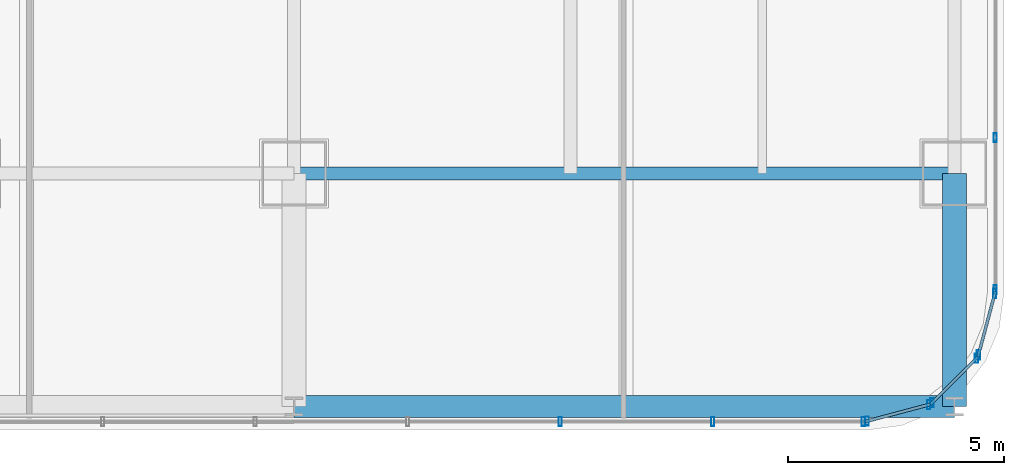
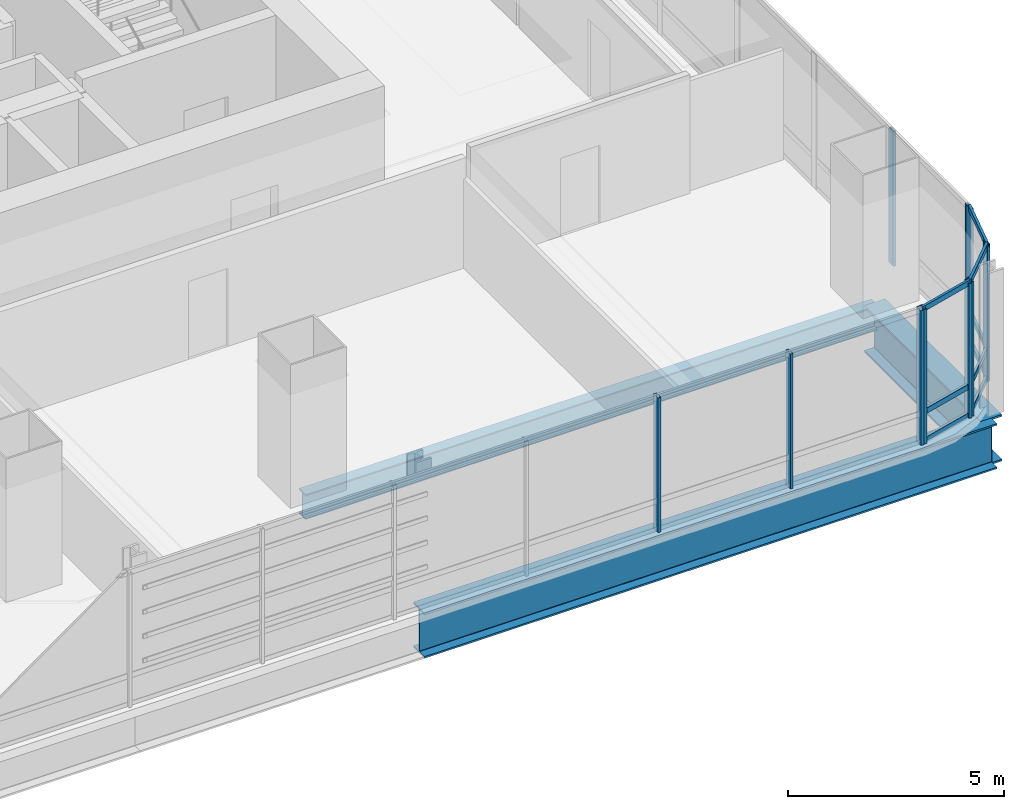
# One storey, part 13 of 36: 20 members, 3 beams, 5 elements without a shape of their own.
"""IFC4 building model written with IfcOpenShell, lengths in metres."""

from ifc_helpers import new_model, si_unit, direction, frame, origin, origin_2d, place, context, subcontext, project, spatial, hollow_rectangle, i_section, extrude, material, material_profile, profile_set, type_object, element, aggregate, save


model = new_model("IFC4")

# Units and contexts
model_context = context("Model", 3, precision=1e-05, world=origin(), true_north=direction((0.0, 1.0)))
body_context = subcontext(model_context, "Body", "Model", "MODEL_VIEW")
ifc_project = project(units=[si_unit("LENGTHUNIT", "METRE"), si_unit("AREAUNIT", "SQUARE_METRE"), si_unit("VOLUMEUNIT", "CUBIC_METRE"), si_unit("PLANEANGLEUNIT", "RADIAN"), si_unit("MASSUNIT", "GRAM", prefix="KILO")], contexts=[model_context])

# Site, building, storey
site_placement = place(None, origin())
site = spatial("IfcSite", under=ifc_project, at=site_placement, CompositionType="ELEMENT")
building_placement = place(site_placement, origin())
building = spatial("IfcBuilding", under=site, at=building_placement, Name="Punatoya Terracotta Tower", CompositionType="ELEMENT")
storey_placement = place(building_placement, frame((0.0, 0.0, 36.300048828125)))
storey = spatial("IfcBuildingStorey", under=building, at=storey_placement, Name="L07", CompositionType="ELEMENT", Elevation=36.300048828125)

# Beams
ifc_material_1 = material(Name="Steel S355", Category="steel")
ifc_material_profile_1 = material_profile(ifc_material_1, i_section(OverallWidth=0.300048828125, OverallDepth=0.699951171875, WebThickness=0.01708984375, FlangeThickness=0.031982421875, FilletRadius=0.01806640625, at=origin_2d()))
ifc_profile_set_1 = profile_set([ifc_material_profile_1], Name="Steel S355")
beam_type_1 = type_object("IfcBeamType", Name="BM-PRI-700", PredefinedType="BEAM", material=ifc_profile_set_1)
beam_1_placement = place(storey_placement, frame((3.800048828125, -17.5, -0.590087890625), z_axis=(1.0, 0.0, 0.0), x_axis=(0.0, 1.0, 0.0)))
element("IfcBeam", 1, at=beam_1_placement, inside=storey, type_object=beam_type_1, Name="BM-L07-RG-S3", PredefinedType="BEAM", context=body_context, shape_type="SweptSolid", body=[
    extrude(i_section(OverallWidth=0.300048828125, OverallDepth=0.699951171875, WebThickness=0.01708984375, FlangeThickness=0.031982421875, FilletRadius=0.01806640625, at=origin_2d()), origin(), (0.0, 0.0, 1.0), 15.300048828125),
])
ifc_material_2 = material(Name="Steel S460", Category="steel")
ifc_material_profile_2 = material_profile(ifc_material_2, i_section(OverallWidth=0.56005859375, OverallDepth=1.320068359375, WebThickness=0.035888671875, FlangeThickness=0.054931640625, FilletRadius=0.01806640625, at=origin_2d()))
ifc_profile_set_2 = profile_set([ifc_material_profile_2], Name="Steel S460")
beam_type_2 = type_object("IfcBeamType", Name="BM-TG-BLK", PredefinedType="BEAM", material=ifc_profile_set_2)
beam_2_placement = place(storey_placement, frame((19.10009765625, -22.89990234375, -0.900146484375), z_axis=(0.0, 1.0, 0.0), x_axis=(-1.0, 0.0, 0.0)))
element("IfcBeam", 2, at=beam_2_placement, inside=storey, type_object=beam_type_2, Name="BM-L07-CANT-S4", PredefinedType="BEAM", context=body_context, shape_type="SweptSolid", body=[
    extrude(i_section(OverallWidth=0.56005859375, OverallDepth=1.320068359375, WebThickness=0.035888671875, FlangeThickness=0.054931640625, FilletRadius=0.01806640625, at=origin_2d()), origin(), (0.0, 0.0, 1.0), 5.39990234375),
])
ifc_material_profile_3 = material_profile(ifc_material_2, i_section(OverallWidth=0.52001953125, OverallDepth=1.280029296875, WebThickness=0.031982421875, FlangeThickness=0.050048828125, FilletRadius=0.01806640625, at=origin_2d()))
ifc_profile_set_3 = profile_set([ifc_material_profile_3], Name="Steel S460")
beam_type_3 = type_object("IfcBeamType", Name="BM-TG-NCK", PredefinedType="BEAM", material=ifc_profile_set_3)
beam_3_placement = place(storey_placement, frame((3.800048828125, -22.89990234375, -0.880126953125), z_axis=(1.0, 0.0, 0.0), x_axis=(0.0, 1.0, 0.0)))
element("IfcBeam", 3, at=beam_3_placement, inside=storey, type_object=beam_type_3, Name="BM-L07-PER-S3", PredefinedType="BEAM", context=body_context, shape_type="SweptSolid", body=[
    extrude(i_section(OverallWidth=0.52001953125, OverallDepth=1.280029296875, WebThickness=0.031982421875, FlangeThickness=0.050048828125, FilletRadius=0.01806640625, at=origin_2d()), origin(), (0.0, 0.0, 1.0), 15.300048828125),
])

# Curtain wall, members
ifc_material_3 = material(Name="Aluminium 6063-T6 + Double Low-E Glass", Category="aluminium")
curtain_wall_type = type_object("IfcCurtainWallType", Name="CW-M1", PredefinedType="NOTDEFINED", material=ifc_material_3)
curtain_wall_1_placement = place(storey_placement, origin())
curtain_wall_1 = element("IfcCurtainWall", 4, at=curtain_wall_1_placement, inside=storey, type_object=curtain_wall_type, Name="L07 Curtain Wall CW-L07-S01-1", PredefinedType="NOTDEFINED")
ifc_material_4 = material(Name="Aluminium 6063-T6", Category="aluminium")
ifc_material_profile_4 = material_profile(ifc_material_4, hollow_rectangle(XDim=0.074951171875, YDim=0.2099609375, WallThickness=0.00439453125, at=origin_2d()))
ifc_profile_set_4 = profile_set([ifc_material_profile_4], Name="Aluminium 6063-T6")
member_type_1 = type_object("IfcMemberType", Name="CW-MUL-M1", PredefinedType="MULLION", material=ifc_profile_set_4)
member_1_placement = place(storey_placement, frame((9.968994140625, -23.25, 0.0), z_axis=(0.0, 0.0, 1.0), x_axis=(1.0, 0.0, 0.0)))
member_1 = element("IfcMember", 5, at=member_1_placement, type_object=member_type_1, Name="CW-L07-S01-1 Mullion 09", PredefinedType="MULLION", context=body_context, shape_type="SweptSolid", body=[
    extrude(hollow_rectangle(XDim=0.074951171875, YDim=0.2099609375, WallThickness=0.00439453125, at=origin_2d()), origin(), (0.0, 0.0, 1.0), 3.81005859375),
])
member_2_placement = place(storey_placement, frame((13.5029296875, -23.25, 0.0), z_axis=(0.0, 0.0, 1.0), x_axis=(1.0, 0.0, 0.0)))
member_2 = element("IfcMember", 6, at=member_2_placement, type_object=member_type_1, Name="CW-L07-S01-1 Mullion 10", PredefinedType="MULLION", context=body_context, shape_type="SweptSolid", body=[
    extrude(hollow_rectangle(XDim=0.074951171875, YDim=0.2099609375, WallThickness=0.00439453125, at=origin_2d()), origin(), (0.0, 0.0, 1.0), 3.81005859375),
])
member_3_placement = place(storey_placement, frame((16.991943359375, -23.25, 0.0), z_axis=(0.0, 0.0, 1.0), x_axis=(1.0, 0.0, 0.0)))
member_3 = element("IfcMember", 7, at=member_3_placement, type_object=member_type_1, Name="CW-L07-S01-1 Mullion 11", PredefinedType="MULLION", context=body_context, shape_type="SweptSolid", body=[
    extrude(hollow_rectangle(XDim=0.074951171875, YDim=0.2099609375, WallThickness=0.00439453125, at=origin_2d()), origin(), (0.0, 0.0, 1.0), 3.81005859375),
])
aggregate(curtain_wall_1, [member_1, member_2, member_3])

curtain_wall_2_placement = place(storey_placement, origin())
curtain_wall_2 = element("IfcCurtainWall", 8, at=curtain_wall_2_placement, inside=storey, type_object=curtain_wall_type, Name="L07 Curtain Wall CW-L07-CRN02", PredefinedType="NOTDEFINED")
member_4_placement = place(storey_placement, frame((17.080322265625, -23.23828125, 0.0), z_axis=(0.0, 0.0, 1.0), x_axis=(1.0, 0.0, 0.0)))
member_4 = element("IfcMember", 9, at=member_4_placement, type_object=member_type_1, Name="CW-L07-CRN02 Mullion 00", PredefinedType="MULLION", context=body_context, shape_type="SweptSolid", body=[
    extrude(hollow_rectangle(XDim=0.074951171875, YDim=0.2099609375, WallThickness=0.00439453125, at=origin_2d()), origin(), (0.0, 0.0, 1.0), 3.81005859375),
])
member_5_placement = place(storey_placement, frame((18.505615234375, -22.858154296875, 0.0), z_axis=(0.0, 0.0, 1.0), x_axis=(1.0, 0.0, 0.0)))
member_5 = element("IfcMember", 10, at=member_5_placement, type_object=member_type_1, Name="CW-L07-CRN02 Mullion 01", PredefinedType="MULLION", context=body_context, shape_type="SweptSolid", body=[
    extrude(hollow_rectangle(XDim=0.074951171875, YDim=0.2099609375, WallThickness=0.00439453125, at=origin_2d()), origin(), (0.0, 0.0, 1.0), 3.81005859375),
])

curtain_wall_3_placement = place(storey_placement, origin())
curtain_wall_3 = element("IfcCurtainWall", 11, at=curtain_wall_3_placement, inside=storey, type_object=curtain_wall_type, Name="L07 Curtain Wall CW-L07-CRN03", PredefinedType="NOTDEFINED")
member_6_placement = place(storey_placement, frame((18.580810546875, -22.814697265625, 0.0), z_axis=(0.0, 0.0, 1.0), x_axis=(1.0, 0.0, 0.0)))
member_6 = element("IfcMember", 12, at=member_6_placement, type_object=member_type_1, Name="CW-L07-CRN03 Mullion 00", PredefinedType="MULLION", context=body_context, shape_type="SweptSolid", body=[
    extrude(hollow_rectangle(XDim=0.074951171875, YDim=0.2099609375, WallThickness=0.00439453125, at=origin_2d()), origin(), (0.0, 0.0, 1.0), 3.81005859375),
])
member_7_placement = place(storey_placement, frame((19.61474609375, -21.781005859375, 0.0), z_axis=(0.0, 0.0, 1.0), x_axis=(1.0, 0.0, 0.0)))
member_7 = element("IfcMember", 13, at=member_7_placement, type_object=member_type_1, Name="CW-L07-CRN03 Mullion 01", PredefinedType="MULLION", context=body_context, shape_type="SweptSolid", body=[
    extrude(hollow_rectangle(XDim=0.074951171875, YDim=0.2099609375, WallThickness=0.00439453125, at=origin_2d()), origin(), (0.0, 0.0, 1.0), 3.81005859375),
])

curtain_wall_4_placement = place(storey_placement, origin())
curtain_wall_4 = element("IfcCurtainWall", 14, at=curtain_wall_4_placement, inside=storey, type_object=curtain_wall_type, Name="L07 Curtain Wall CW-L07-CRN04", PredefinedType="NOTDEFINED")
member_8_placement = place(storey_placement, frame((19.658203125, -21.70556640625, 0.0), z_axis=(0.0, 0.0, 1.0), x_axis=(1.0, 0.0, 0.0)))
member_8 = element("IfcMember", 15, at=member_8_placement, type_object=member_type_1, Name="CW-L07-CRN04 Mullion 00", PredefinedType="MULLION", context=body_context, shape_type="SweptSolid", body=[
    extrude(hollow_rectangle(XDim=0.074951171875, YDim=0.2099609375, WallThickness=0.00439453125, at=origin_2d()), origin(), (0.0, 0.0, 1.0), 3.81005859375),
])
member_9_placement = place(storey_placement, frame((20.038330078125, -20.280517578125, 0.0), z_axis=(0.0, 0.0, 1.0), x_axis=(1.0, 0.0, 0.0)))
member_9 = element("IfcMember", 16, at=member_9_placement, type_object=member_type_1, Name="CW-L07-CRN04 Mullion 01", PredefinedType="MULLION", context=body_context, shape_type="SweptSolid", body=[
    extrude(hollow_rectangle(XDim=0.074951171875, YDim=0.2099609375, WallThickness=0.00439453125, at=origin_2d()), origin(), (0.0, 0.0, 1.0), 3.81005859375),
])

curtain_wall_5_placement = place(storey_placement, origin())
curtain_wall_5 = element("IfcCurtainWall", 17, at=curtain_wall_5_placement, inside=storey, type_object=curtain_wall_type, Name="L07 Curtain Wall CW-L07-E05-1", PredefinedType="NOTDEFINED")
member_10_placement = place(storey_placement, frame((20.050048828125, -20.19189453125, 0.0), z_axis=(0.0, 0.0, 1.0), x_axis=(1.0, 0.0, 0.0)))
member_10 = element("IfcMember", 18, at=member_10_placement, type_object=member_type_1, Name="CW-L07-E05-1 Mullion 00", PredefinedType="MULLION", context=body_context, shape_type="SweptSolid", body=[
    extrude(hollow_rectangle(XDim=0.074951171875, YDim=0.2099609375, WallThickness=0.00439453125, at=origin_2d()), origin(), (0.0, 0.0, 1.0), 3.81005859375),
])
member_11_placement = place(storey_placement, frame((20.050048828125, -16.66943359375, 0.0), z_axis=(0.0, 0.0, 1.0), x_axis=(1.0, 0.0, 0.0)))
member_11 = element("IfcMember", 19, at=member_11_placement, type_object=member_type_1, Name="CW-L07-E05-1 Mullion 01", PredefinedType="MULLION", context=body_context, shape_type="SweptSolid", body=[
    extrude(hollow_rectangle(XDim=0.074951171875, YDim=0.2099609375, WallThickness=0.00439453125, at=origin_2d()), origin(), (0.0, 0.0, 1.0), 3.81005859375),
])
aggregate(curtain_wall_5, [member_10, member_11])

# Member
ifc_material_profile_5 = material_profile(ifc_material_4, hollow_rectangle(XDim=0.068115234375, YDim=0.14990234375, WallThickness=0.00390625, at=origin_2d()))
ifc_profile_set_5 = profile_set([ifc_material_profile_5], Name="Aluminium 6063-T6")
member_type_2 = type_object("IfcMemberType", Name="CW-TRN-TYP", PredefinedType="USERDEFINED", material=ifc_profile_set_5)
member_12_placement = place(storey_placement, frame((17.036865234375, -23.25, 0.0400390625), z_axis=(0.966224582397, 0.257701486942, 0.0), x_axis=(-0.257701486942, 0.966224582397, 0.0)))
member_12 = element("IfcMember", 20, at=member_12_placement, type_object=member_type_2, Name="CW-L07-CRN02 Transom 1", ObjectType="TRANSOM", PredefinedType="USERDEFINED", context=body_context, shape_type="SweptSolid", body=[
    extrude(hollow_rectangle(XDim=0.068115234375, YDim=0.14990234375, WallThickness=0.00390625, at=origin_2d()), origin(), (0.0, 0.0, 1.0), 1.565185546875),
])

member_13_placement = place(storey_placement, frame((17.036865234375, -23.25, 0.849853515625), z_axis=(0.966224582397, 0.257701486942, 0.0), x_axis=(-0.257701486942, 0.966224582397, 0.0)))
member_13 = element("IfcMember", 21, at=member_13_placement, type_object=member_type_2, Name="CW-L07-CRN02 Transom 2", ObjectType="TRANSOM", PredefinedType="USERDEFINED", context=body_context, shape_type="SweptSolid", body=[
    extrude(hollow_rectangle(XDim=0.068115234375, YDim=0.14990234375, WallThickness=0.00390625, at=origin_2d()), origin(), (0.0, 0.0, 1.0), 1.565185546875),
])

member_14_placement = place(storey_placement, frame((17.036865234375, -23.25, 3.77001953125), z_axis=(0.966224582397, 0.257701486942, 0.0), x_axis=(-0.257701486942, 0.966224582397, 0.0)))
member_14 = element("IfcMember", 22, at=member_14_placement, type_object=member_type_2, Name="CW-L07-CRN02 Transom 3", ObjectType="TRANSOM", PredefinedType="USERDEFINED", context=body_context, shape_type="SweptSolid", body=[
    extrude(hollow_rectangle(XDim=0.068115234375, YDim=0.14990234375, WallThickness=0.00390625, at=origin_2d()), origin(), (0.0, 0.0, 1.0), 1.565185546875),
])

aggregate(curtain_wall_2, [member_4, member_5, member_12, member_13, member_14])

member_15_placement = place(storey_placement, frame((18.549072265625, -22.8466796875, 0.0400390625), z_axis=(0.707028130747, 0.707185422879, 0.0), x_axis=(-0.707185422879, 0.707028130747, 0.0)))
member_15 = element("IfcMember", 23, at=member_15_placement, type_object=member_type_2, Name="CW-L07-CRN03 Transom 1", ObjectType="TRANSOM", PredefinedType="USERDEFINED", context=body_context, shape_type="SweptSolid", body=[
    extrude(hollow_rectangle(XDim=0.068115234375, YDim=0.14990234375, WallThickness=0.00390625, at=origin_2d()), origin(), (0.0, 0.0, 1.0), 1.55224609375),
])

member_16_placement = place(storey_placement, frame((18.549072265625, -22.8466796875, 0.849853515625), z_axis=(0.707028130747, 0.707185422879, 0.0), x_axis=(-0.707185422879, 0.707028130747, 0.0)))
member_16 = element("IfcMember", 24, at=member_16_placement, type_object=member_type_2, Name="CW-L07-CRN03 Transom 2", ObjectType="TRANSOM", PredefinedType="USERDEFINED", context=body_context, shape_type="SweptSolid", body=[
    extrude(hollow_rectangle(XDim=0.068115234375, YDim=0.14990234375, WallThickness=0.00390625, at=origin_2d()), origin(), (0.0, 0.0, 1.0), 1.55224609375),
])

member_17_placement = place(storey_placement, frame((18.549072265625, -22.8466796875, 3.77001953125), z_axis=(0.707028130747, 0.707185422879, 0.0), x_axis=(-0.707185422879, 0.707028130747, 0.0)))
member_17 = element("IfcMember", 25, at=member_17_placement, type_object=member_type_2, Name="CW-L07-CRN03 Transom 3", ObjectType="TRANSOM", PredefinedType="USERDEFINED", context=body_context, shape_type="SweptSolid", body=[
    extrude(hollow_rectangle(XDim=0.068115234375, YDim=0.14990234375, WallThickness=0.00390625, at=origin_2d()), origin(), (0.0, 0.0, 1.0), 1.55224609375),
])

aggregate(curtain_wall_3, [member_6, member_7, member_15, member_16, member_17])

member_18_placement = place(storey_placement, frame((19.646484375, -21.7490234375, 0.0400390625), z_axis=(0.257847112249, 0.966185730957, 0.0), x_axis=(-0.966185730957, 0.257847112249, 0.0)))
member_18 = element("IfcMember", 26, at=member_18_placement, type_object=member_type_2, Name="CW-L07-CRN04 Transom 1", ObjectType="TRANSOM", PredefinedType="USERDEFINED", context=body_context, shape_type="SweptSolid", body=[
    extrude(hollow_rectangle(XDim=0.068115234375, YDim=0.14990234375, WallThickness=0.00390625, at=origin_2d()), origin(), (0.0, 0.0, 1.0), 1.565185546875),
])

member_19_placement = place(storey_placement, frame((19.646484375, -21.7490234375, 0.849853515625), z_axis=(0.257847112249, 0.966185730957, 0.0), x_axis=(-0.966185730957, 0.257847112249, 0.0)))
member_19 = element("IfcMember", 27, at=member_19_placement, type_object=member_type_2, Name="CW-L07-CRN04 Transom 2", ObjectType="TRANSOM", PredefinedType="USERDEFINED", context=body_context, shape_type="SweptSolid", body=[
    extrude(hollow_rectangle(XDim=0.068115234375, YDim=0.14990234375, WallThickness=0.00390625, at=origin_2d()), origin(), (0.0, 0.0, 1.0), 1.565185546875),
])

member_20_placement = place(storey_placement, frame((19.646484375, -21.7490234375, 3.77001953125), z_axis=(0.257847112249, 0.966185730957, 0.0), x_axis=(-0.966185730957, 0.257847112249, 0.0)))
member_20 = element("IfcMember", 28, at=member_20_placement, type_object=member_type_2, Name="CW-L07-CRN04 Transom 3", ObjectType="TRANSOM", PredefinedType="USERDEFINED", context=body_context, shape_type="SweptSolid", body=[
    extrude(hollow_rectangle(XDim=0.068115234375, YDim=0.14990234375, WallThickness=0.00390625, at=origin_2d()), origin(), (0.0, 0.0, 1.0), 1.565185546875),
])

aggregate(curtain_wall_4, [member_8, member_9, member_18, member_19, member_20])

save(model, "model.ifc")
